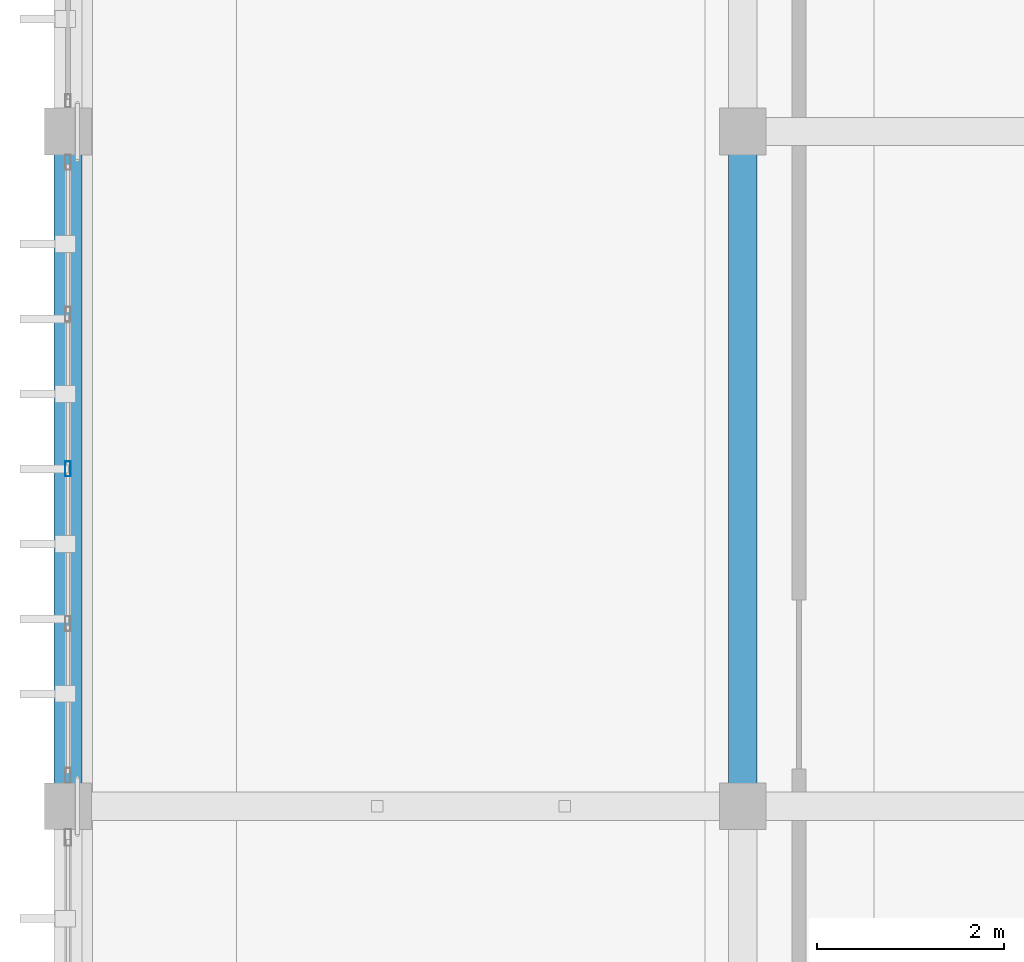
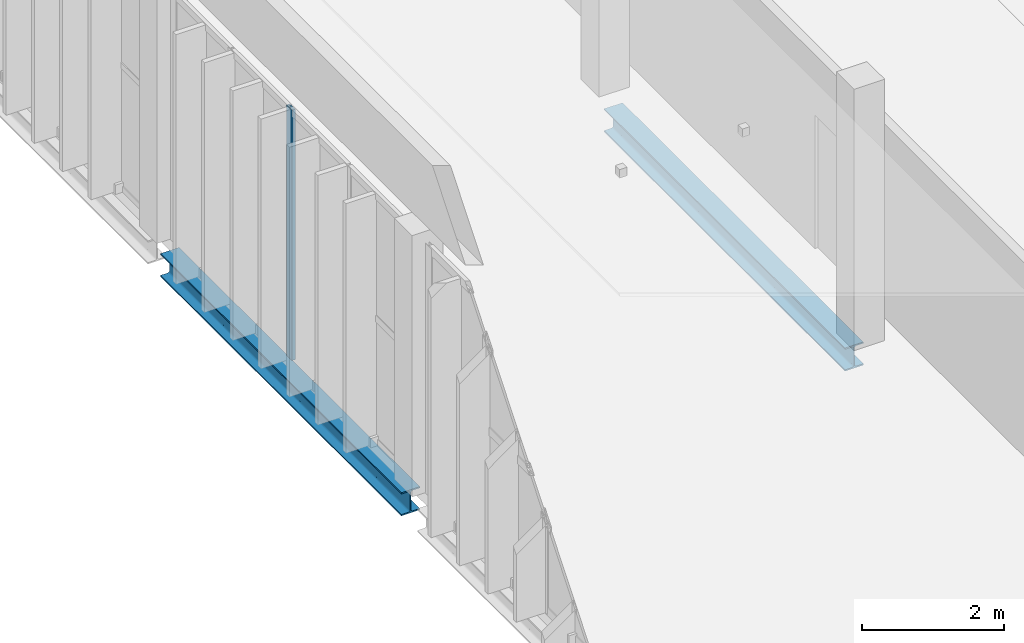
# One storey, part 9 of 64: 2 beams, 1 member, 1 element without a shape of its own.
"""IFC4 building model written with IfcOpenShell, lengths in metres."""

from ifc_helpers import new_model, si_unit, direction, frame, origin, origin_2d, place, context, subcontext, project, spatial, hollow_rectangle, i_section, extrude, material, material_profile, profile_set, type_object, element, aggregate, save


model = new_model("IFC4")

# Units and contexts
model_context = context("Model", 3, precision=1e-05, world=origin(), true_north=direction((0.0, 1.0)))
body_context = subcontext(model_context, "Body", "Model", "MODEL_VIEW")
ifc_project = project(units=[si_unit("LENGTHUNIT", "METRE"), si_unit("AREAUNIT", "SQUARE_METRE"), si_unit("VOLUMEUNIT", "CUBIC_METRE"), si_unit("PLANEANGLEUNIT", "RADIAN"), si_unit("MASSUNIT", "GRAM", prefix="KILO")], contexts=[model_context])

# Site, building, storey
site_placement = place(None, origin())
site = spatial("IfcSite", under=ifc_project, at=site_placement, CompositionType="ELEMENT")
building_placement = place(site_placement, origin())
building = spatial("IfcBuilding", under=site, at=building_placement, Name="Qandorah Velis Arena", CompositionType="ELEMENT")
storey_placement = place(building_placement, frame((0.0, 0.0, 23.0)))
storey = spatial("IfcBuildingStorey", under=building, at=storey_placement, Name="L05", CompositionType="ELEMENT", Elevation=23.0)

# Curtain wall, member
ifc_material_1 = material(Name="Solar-control low-E double glazing", Category="glass")
curtain_wall_type = type_object("IfcCurtainWallType", Name="ARC-CW-SYS19", PredefinedType="USERDEFINED", material=ifc_material_1)
curtain_wall_placement = place(storey_placement, origin())
curtain_wall = element("IfcCurtainWall", 1, at=curtain_wall_placement, inside=storey, type_object=curtain_wall_type, Name="Unitised curtain wall L05-043", ObjectType="UNITISED CURTAIN WALL", PredefinedType="USERDEFINED")
ifc_material_2 = material(Name="Champagne-bronze anodized aluminium 6063-T6", Category="aluminium")
ifc_material_profile_1 = material_profile(ifc_material_2, hollow_rectangle(XDim=0.06005859375, YDim=0.159912109375, WallThickness=0.00341796875, at=origin_2d()), Name="ALU MULLION 60x160")
ifc_profile_set_1 = profile_set([ifc_material_profile_1], Name="Champagne-bronze anodized aluminium 6063-T6")
member_type = type_object("IfcMemberType", Name="ARC-CWM-160", PredefinedType="MULLION", material=ifc_profile_set_1)
member_placement = place(storey_placement, frame((0.0, 39.60009765625, -0.014892578125), z_axis=(0.0, 0.0, 1.0), x_axis=(-1.0, 0.0, 0.0)))
member = element("IfcMember", 2, at=member_placement, type_object=member_type, Name="CW19 mullion 3", PredefinedType="MULLION", context=body_context, shape_type="SweptSolid", body=[
    extrude(hollow_rectangle(XDim=0.06005859375, YDim=0.159912109375, WallThickness=0.00341796875, at=origin_2d()), origin(), (0.0, 0.0, 1.0), 4.309814453125),
])
aggregate(curtain_wall, [member])

# Beams
ifc_material_3 = material(Name="Steel S355", Category="steel")
ifc_material_profile_2 = material_profile(ifc_material_3, i_section(OverallWidth=0.300048828125, OverallDepth=0.39990234375, WebThickness=0.013427734375, FlangeThickness=0.02392578125, FilletRadius=0.027099609375, at=origin_2d()), Name="HEB 400")
ifc_profile_set_2 = profile_set([ifc_material_profile_2], Name="Steel S355")
beam_type = type_object("IfcBeamType", Name="STR-BM-HEB400", PredefinedType="BEAM", material=ifc_profile_set_2)
beam_1_placement = place(storey_placement, frame((0.0, 36.22509765625, -0.449951171875), z_axis=(0.0, 1.0, 0.0), x_axis=(-1.0, 0.0, 0.0)))
element("IfcBeam", 3, at=beam_1_placement, inside=storey, type_object=beam_type, Name="Primary floor girder L05 Y-116", PredefinedType="BEAM", context=body_context, shape_type="SweptSolid", body=[
    extrude(i_section(OverallWidth=0.300048828125, OverallDepth=0.39990234375, WebThickness=0.013427734375, FlangeThickness=0.02392578125, FilletRadius=0.027099609375, at=origin_2d()), origin(), (0.0, 0.0, 1.0), 6.79638671875),
])
beam_2_placement = place(storey_placement, frame((7.199951171875, 36.178466796875, -0.449951171875), z_axis=(0.0, 1.0, 0.0), x_axis=(-1.0, 0.0, 0.0)))
element("IfcBeam", 4, at=beam_2_placement, inside=storey, type_object=beam_type, Name="Primary floor girder L05 Y-128", PredefinedType="BEAM", context=body_context, shape_type="SweptSolid", body=[
    extrude(i_section(OverallWidth=0.300048828125, OverallDepth=0.39990234375, WebThickness=0.013427734375, FlangeThickness=0.02392578125, FilletRadius=0.027099609375, at=origin_2d()), origin(), (0.0, 0.0, 1.0), 6.796630859375),
])

save(model, "model.ifc")
